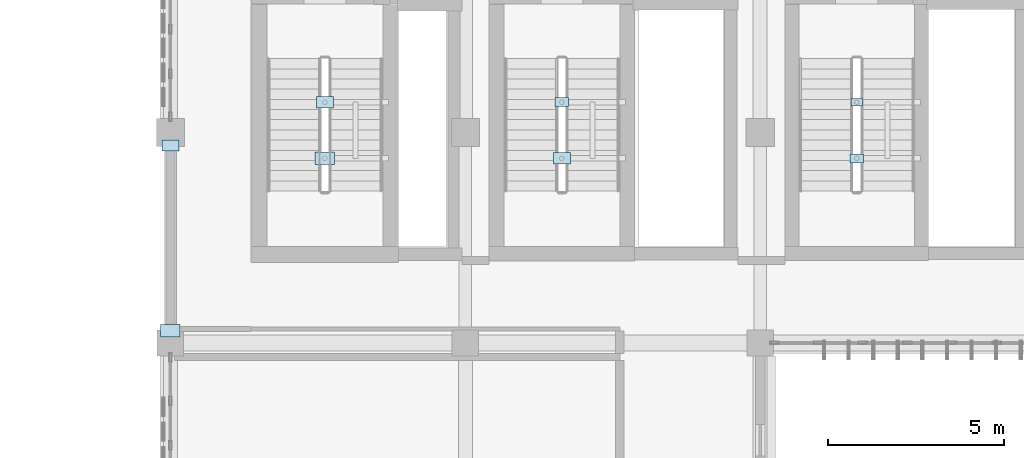
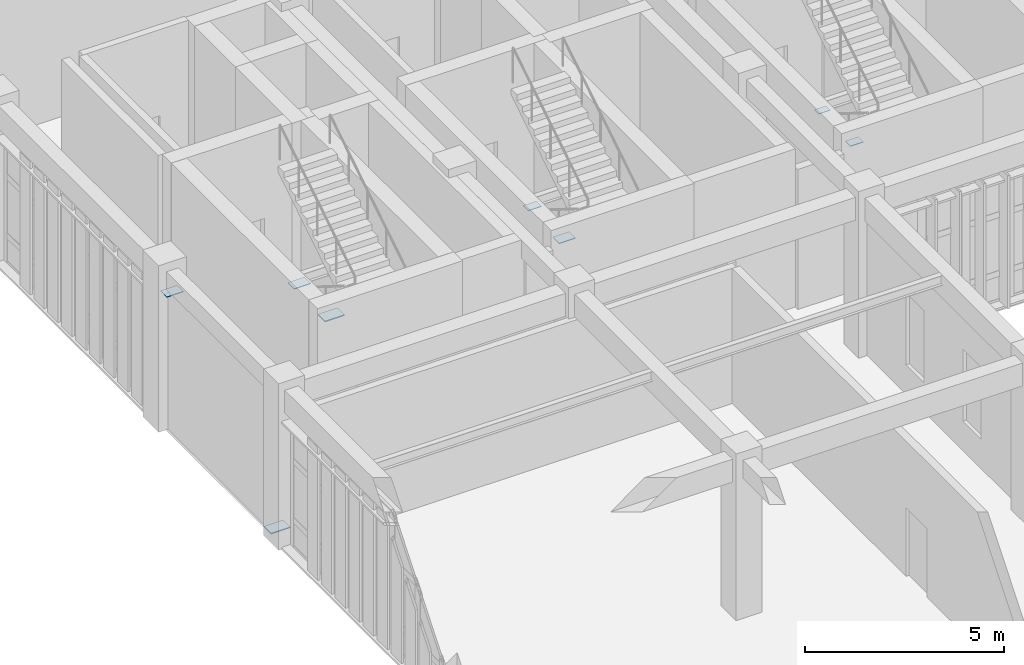
# One storey, part 55 of 77: 8 plates.
"""IFC4 building model written with IfcOpenShell, lengths in metres."""

from ifc_helpers import new_model, si_unit, direction, frame, origin, origin_2d, place, context, subcontext, project, spatial, rectangle, extrude, material, layer, layer_set, type_object, element, save


model = new_model("IFC4")

# Units and contexts
model_context = context("Model", 3, precision=1e-05, world=origin(), true_north=direction((0.0, 1.0)))
body_context = subcontext(model_context, "Body", "Model", "MODEL_VIEW")
ifc_project = project(units=[si_unit("LENGTHUNIT", "METRE"), si_unit("AREAUNIT", "SQUARE_METRE"), si_unit("VOLUMEUNIT", "CUBIC_METRE"), si_unit("PLANEANGLEUNIT", "RADIAN"), si_unit("MASSUNIT", "GRAM", prefix="KILO")], contexts=[model_context])

# Site, building, storey
site_placement = place(None, origin())
site = spatial("IfcSite", under=ifc_project, at=site_placement, CompositionType="ELEMENT")
building_placement = place(site_placement, origin())
building = spatial("IfcBuilding", under=site, at=building_placement, Name="Krzemoval Escarpment Law Courts", CompositionType="ELEMENT")
storey_placement = place(building_placement, frame((0.0, 0.0, 15.300048828125)))
storey = spatial("IfcBuildingStorey", under=building, at=storey_placement, Name="L03", CompositionType="ELEMENT", Elevation=15.300048828125)

# Plates
ifc_material_1 = material(Name="Steel S355", Category="steel")
ifc_layer_1 = layer(ifc_material_1, 0.011962890625)
ifc_layer_set_1 = layer_set([ifc_layer_1], Name="Steel S355")
plate_type_1 = type_object("IfcPlateType", Name="PLT-GUS-12", PredefinedType="USERDEFINED", material=ifc_layer_set_1)
plate_placement = place(storey_placement, frame((145.550048828125, 100.4599609375, 2.11376953125), z_axis=(0.0, 0.0, 1.0), x_axis=(1.0, 0.0, 0.0)))
element("IfcPlate", 1, at=plate_placement, inside=storey, type_object=plate_type_1, Name="Gusset and End-Cap Plate ECP-0349", ObjectType="GUSSET_PLATE", PredefinedType="USERDEFINED", context=body_context, shape_type="SweptSolid", body=[
    extrude(rectangle(XDim=0.340087890625, YDim=0.219970703125, at=origin_2d()), origin(), (0.0, 0.0, 1.0), 0.011962890625),
])
ifc_material_2 = material(Name="Steel S355", Category="steel")
ifc_layer_2 = layer(ifc_material_2, 0.01611328125)
ifc_layer_set_2 = layer_set([ifc_layer_2], Name="Steel S355")
plate_type_2 = type_object("IfcPlateType", Name="PLT-GUS-16", PredefinedType="USERDEFINED", material=ifc_layer_set_2)
for number, where, z_axis, x_axis, name in (
    (2, (137.14990234375, 100.4599609375, 2.11181640625), (0.0, 0.0, 1.0), (1.0, 0.0, 0.0), "Gusset and End-Cap Plate ECP-0327"),
    (3, (145.550048828125, 98.860107421875, 2.11181640625), (0.0, 0.0, 1.0), (1.0, 0.0, 0.0), "Gusset and End-Cap Plate ECP-0348"),
):
    element("IfcPlate", number, at=place(storey_placement, frame(where, z_axis=z_axis, x_axis=x_axis)), inside=storey, type_object=plate_type_2, Name=name, ObjectType="GUSSET_PLATE", PredefinedType="USERDEFINED", context=body_context, shape_type="SweptSolid", body=[
        extrude(rectangle(XDim=0.3798828125, YDim=0.260009765625, at=origin_2d()), origin(), (0.0, 0.0, 1.0), 0.01611328125),
    ])
ifc_material_3 = material(Name="Steel S355", Category="steel")
ifc_layer_3 = layer(ifc_material_3, 0.02001953125)
ifc_layer_set_3 = layer_set([ifc_layer_3], Name="Steel S355")
plate_type_3 = type_object("IfcPlateType", Name="PLT-GUS-20", PredefinedType="USERDEFINED", material=ifc_layer_set_3)
for number, where, z_axis, x_axis, name in (
    (4, (126.0, 99.22509765625, 4.14990234375), (0.0, 0.0, 1.0), (1.0, 0.0, 0.0), "Gusset and End-Cap Plate ECP-0269"),
    (5, (130.39990234375, 100.4599609375, 2.10986328125), (0.0, 0.0, 1.0), (1.0, 0.0, 0.0), "Gusset and End-Cap Plate ECP-0305"),
    (6, (137.14990234375, 98.860107421875, 2.10986328125), (0.0, 0.0, 1.0), (1.0, 0.0, 0.0), "Gusset and End-Cap Plate ECP-0326"),
):
    element("IfcPlate", number, at=place(storey_placement, frame(where, z_axis=z_axis, x_axis=x_axis)), inside=storey, type_object=plate_type_3, Name=name, ObjectType="GUSSET_PLATE", PredefinedType="USERDEFINED", context=body_context, shape_type="SweptSolid", body=[
        extrude(rectangle(XDim=0.47998046875, YDim=0.320068359375, at=origin_2d()), origin(), (0.0, 0.0, 1.0), 0.02001953125),
    ])
ifc_material_4 = material(Name="Steel S355", Category="steel")
ifc_layer_4 = layer(ifc_material_4, 0.030029296875)
ifc_layer_set_4 = layer_set([ifc_layer_4], Name="Steel S355")
plate_type_4 = type_object("IfcPlateType", Name="PLT-GUS-30", PredefinedType="USERDEFINED", material=ifc_layer_set_4)
for number, where, z_axis, x_axis, name in (
    (7, (126.0, 93.949951171875, 0.125), (0.0, 0.0, 1.0), (1.0, 0.0, 0.0), "Gusset and End-Cap Plate ECP-0268"),
    (8, (130.39990234375, 98.860107421875, 2.10498046875), (0.0, 0.0, 1.0), (1.0, 0.0, 0.0), "Gusset and End-Cap Plate ECP-0304"),
):
    element("IfcPlate", number, at=place(storey_placement, frame(where, z_axis=z_axis, x_axis=x_axis)), inside=storey, type_object=plate_type_4, Name=name, ObjectType="GUSSET_PLATE", PredefinedType="USERDEFINED", context=body_context, shape_type="SweptSolid", body=[
        extrude(rectangle(XDim=0.56005859375, YDim=0.360107421875, at=origin_2d()), origin(), (0.0, 0.0, 1.0), 0.030029296875),
    ])

save(model, "model.ifc")
